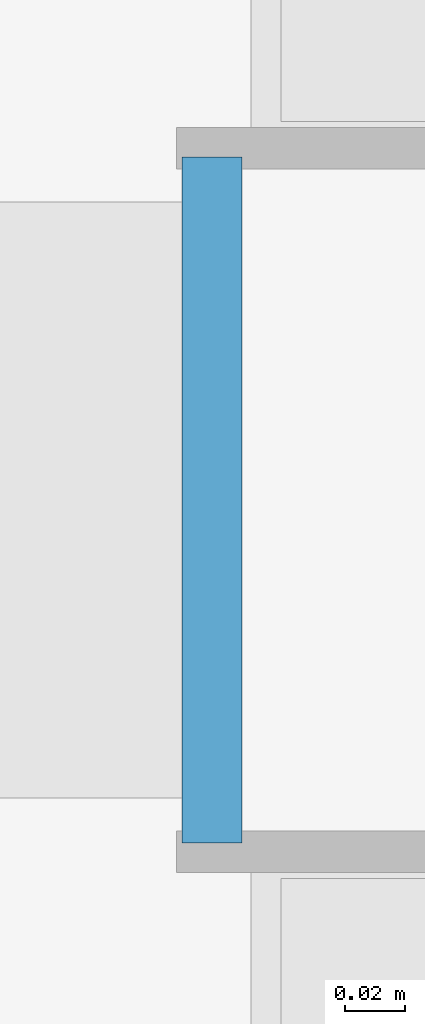
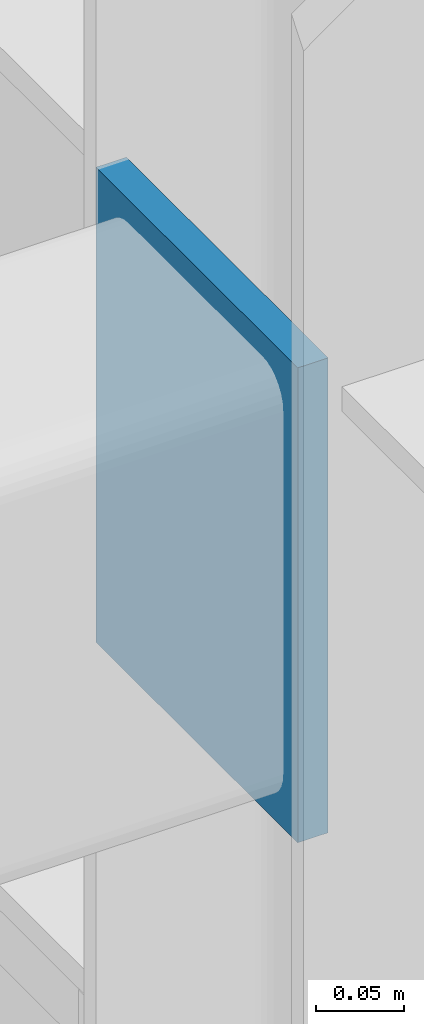
# One storey, part 152 of 184: 1 plate.
"""IFC4 building model written with IfcOpenShell, lengths in metres."""

from ifc_helpers import new_model, si_unit, direction, frame, origin, origin_2d, place, context, subcontext, project, spatial, rectangle, extrude, material, layer, layer_set, type_object, element, save


model = new_model("IFC4")

# Units and contexts
model_context = context("Model", 3, precision=1e-05, world=origin(), true_north=direction((0.0, 1.0)))
body_context = subcontext(model_context, "Body", "Model", "MODEL_VIEW")
ifc_project = project(units=[si_unit("LENGTHUNIT", "METRE"), si_unit("AREAUNIT", "SQUARE_METRE"), si_unit("VOLUMEUNIT", "CUBIC_METRE"), si_unit("PLANEANGLEUNIT", "RADIAN"), si_unit("MASSUNIT", "GRAM", prefix="KILO")], contexts=[model_context])

# Site, building, storey
site_placement = place(None, origin())
site = spatial("IfcSite", under=ifc_project, at=site_placement, CompositionType="ELEMENT")
building_placement = place(site_placement, origin())
building = spatial("IfcBuilding", under=site, at=building_placement, Name="Zhaolan Boulevard Law Courts", CompositionType="ELEMENT")
storey_placement = place(building_placement, frame((0.0, 0.0, 5.39990234375)))
storey = spatial("IfcBuildingStorey", under=building, at=storey_placement, Name="L01", CompositionType="ELEMENT", Elevation=5.39990234375)

# Plate
ifc_material = material(Name="Structural steel Q355B", Category="steel")
ifc_layer = layer(ifc_material, 0.02001953125)
ifc_layer_set = layer_set([ifc_layer])
plate_type = type_object("IfcPlateType", Name="END CAP PLATE 20", PredefinedType="SHEET", material=ifc_layer_set)
plate_placement = place(storey_placement, frame((163.886962890625, 30.0, 4.802978515625), z_axis=(0.0, 0.0, 1.0), x_axis=(1.0, 0.0, 0.0)))
element("IfcPlate", 1, at=plate_placement, inside=storey, type_object=plate_type, Name="Hollow Section End-Cap Plate ECP-0756", PredefinedType="SHEET", context=body_context, shape_type="SweptSolid", body=[
    extrude(rectangle(XDim=0.02001953125, YDim=0.22998046875, at=origin_2d()), origin(), (0.0, 0.0, 1.0), 0.330078125),
])

save(model, "model.ifc")
